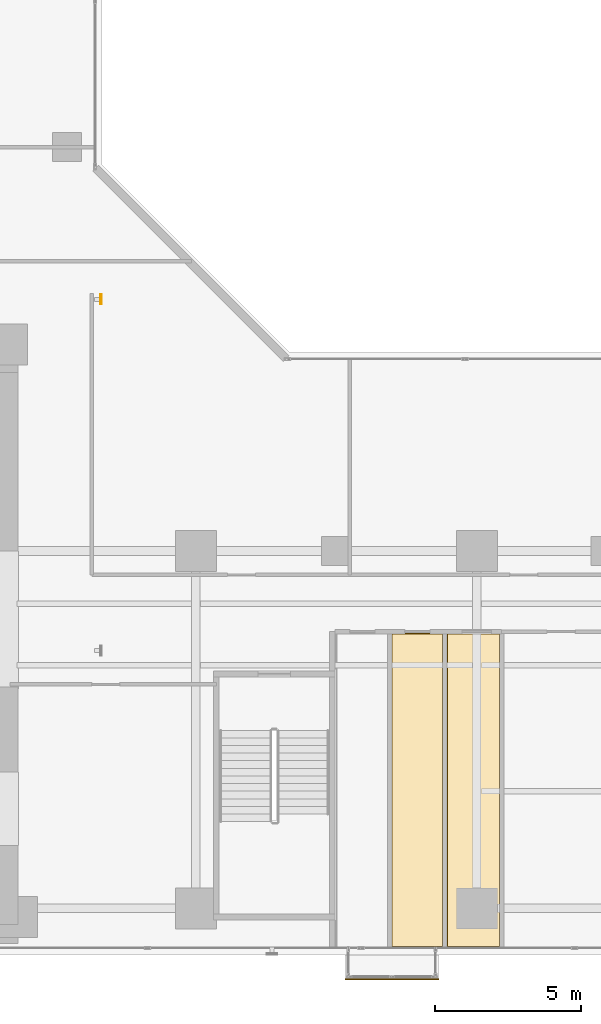
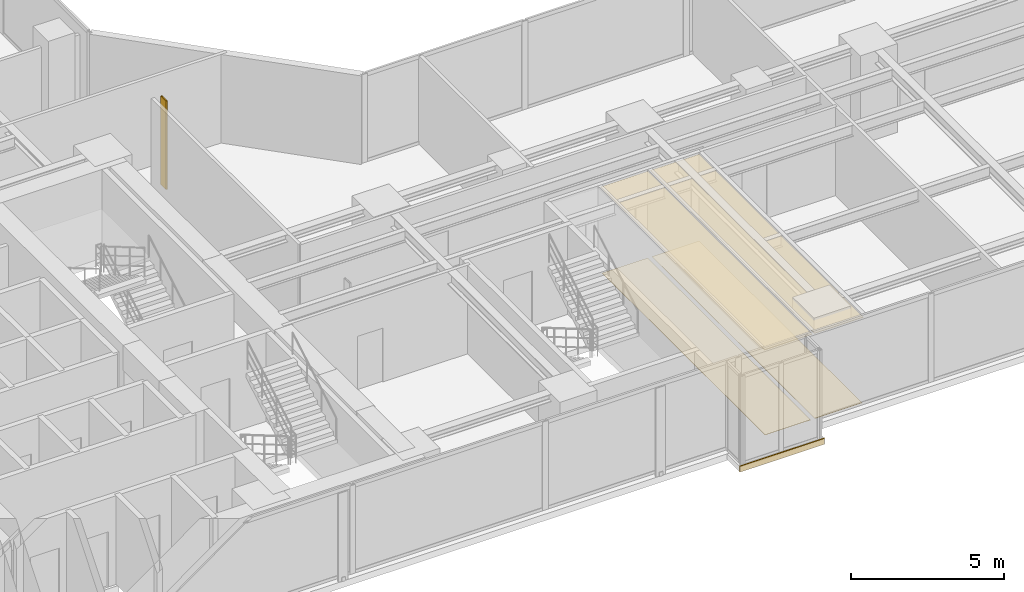
# One storey, part 25 of 26: 5 coverings, 1 shading device.
"""IFC4 building model written with IfcOpenShell, lengths in metres."""

from ifc_helpers import new_model, si_unit, direction, frame, origin, origin_2d, place, context, subcontext, project, spatial, polyline, rectangle, hollow_rectangle, outline, extrude, material, layer, layer_set, material_profile, profile_set, type_object, element, save


model = new_model("IFC4")

# Units and contexts
model_context = context("Model", 3, precision=1e-05, world=origin(), true_north=direction((0.0, 1.0)))
body_context = subcontext(model_context, "Body", "Model", "MODEL_VIEW")
ifc_project = project(units=[si_unit("LENGTHUNIT", "METRE"), si_unit("AREAUNIT", "SQUARE_METRE"), si_unit("VOLUMEUNIT", "CUBIC_METRE"), si_unit("PLANEANGLEUNIT", "RADIAN"), si_unit("MASSUNIT", "GRAM", prefix="KILO")], contexts=[model_context])

# Site, building, storey
site_placement = place(None, origin())
site = spatial("IfcSite", under=ifc_project, at=site_placement, CompositionType="ELEMENT")
building_placement = place(site_placement, origin())
building = spatial("IfcBuilding", under=site, at=building_placement, Name="Kolvaren Waterfront Exchange", CompositionType="ELEMENT")
storey_placement = place(building_placement, frame((0.0, 0.0, 99.300048828125)))
storey = spatial("IfcBuildingStorey", under=building, at=storey_placement, Name="L25", CompositionType="ELEMENT", Elevation=99.300048828125)

# Coverings
ifc_material_1 = material(Name="Mineral fibre acoustic ceiling tile")
ifc_layer_1 = layer(ifc_material_1, 0.02490234375, Name="Mineral fibre acoustic ceiling tile")
ifc_layer_set_1 = layer_set([ifc_layer_1], Name="Mineral fibre acoustic ceiling tile")
covering_type_1 = type_object("IfcCoveringType", Name="ARC-CEIL-ACOUSTIC-25", PredefinedType="CEILING", material=ifc_layer_set_1)
covering_1_placement = place(storey_placement, frame((0.0, 0.0, 3.425048828125)))
element("IfcCovering", 1, at=covering_1_placement, inside=storey, type_object=covering_type_1, Name="L25 acoustic suspended ceiling 2", PredefinedType="CEILING", context=body_context, shape_type="SweptSolid", body=[
    extrude(outline(polyline([(35.6650390625, 3.864990234375), (35.6650390625, 14.594970703125), (33.875, 14.594970703125), (33.875, 3.864990234375), (35.6650390625, 3.864990234375)])), origin(), (0.0, 0.0, 1.0), 0.02490234375),
])
covering_2_placement = place(storey_placement, frame((0.0, 0.0, 3.425048828125)))
element("IfcCovering", 2, at=covering_2_placement, inside=storey, type_object=covering_type_1, Name="L25 acoustic suspended ceiling 3", PredefinedType="CEILING", context=body_context, shape_type="SweptSolid", body=[
    extrude(outline(polyline([(37.60498046875, 3.864990234375), (37.60498046875, 14.594970703125), (35.7548828125, 14.594970703125), (35.7548828125, 3.864990234375), (37.60498046875, 3.864990234375)])), origin(), (0.0, 0.0, 1.0), 0.02490234375),
])
ifc_material_2 = material(Name="Anodised bronze fascia aluminium", Category="aluminium")
ifc_layer_2 = layer(ifc_material_2, 0.034912109375, Name="Anodised bronze fascia aluminium")
ifc_layer_set_2 = layer_set([ifc_layer_2], Name="Anodised bronze fascia aluminium")
covering_type_2 = type_object("IfcCoveringType", Name="ARC-CLAD-BRONZE-35", PredefinedType="CLADDING", material=ifc_layer_set_2)
covering_3_placement = place(storey_placement, frame((33.89990234375, 2.77001953125, -0.22021484375), z_axis=(0.0, 0.0, 1.0), x_axis=(1.0, 0.0, 0.0)))
element("IfcCovering", 3, at=covering_3_placement, inside=storey, type_object=covering_type_2, Name="L25 ribbed anodised bronze bay-box fascia", PredefinedType="CLADDING", context=body_context, shape_type="SweptSolid", body=[
    extrude(rectangle(XDim=3.199951171875, YDim=0.034912109375, at=origin_2d()), origin(), (0.0, 0.0, 1.0), 0.239990234375),
])

# Shading device
ifc_material_3 = material(Name="Anodised bronze aluminium 6063-T6", Category="aluminium")
ifc_material_profile = material_profile(ifc_material_3, hollow_rectangle(XDim=0.06005859375, YDim=0.35009765625, WallThickness=0.0048828125, at=origin_2d()), Name="BRZ-FIN-350x60x5")
ifc_profile_set = profile_set([ifc_material_profile], Name="Anodised bronze aluminium 6063-T6")
shading_device_type = type_object("IfcShadingDeviceType", Name="ARC-FIN-350", PredefinedType="USERDEFINED", material=ifc_profile_set)
shading_device_placement = place(storey_placement, frame((23.9599609375, 26.0, 0.0), z_axis=(0.0, 0.0, 1.0), x_axis=(1.0, 0.0, 0.0)))
element("IfcShadingDevice", 4, at=shading_device_placement, inside=storey, type_object=shading_device_type, Name="L25 anodised bronze solar shading fin FIN-L25-E2", ObjectType="SOLAR FIN", PredefinedType="USERDEFINED", context=body_context, shape_type="SweptSolid", body=[
    extrude(hollow_rectangle(XDim=0.06005859375, YDim=0.35009765625, WallThickness=0.0048828125, at=origin_2d()), origin(), (0.0, 0.0, 1.0), 3.5400390625),
])

# Coverings
ifc_material_4 = material(Name="Slip-resistant porcelain tile")
ifc_layer_3 = layer(ifc_material_4, 0.014892578125, Name="Slip-resistant porcelain tile")
ifc_layer_set_3 = layer_set([ifc_layer_3], Name="Slip-resistant porcelain tile")
covering_type_3 = type_object("IfcCoveringType", Name="ARC-FLR-PORC-15", PredefinedType="FLOORING", material=ifc_layer_set_3)
covering_4_placement = place(storey_placement, origin())
element("IfcCovering", 5, at=covering_4_placement, inside=storey, type_object=covering_type_3, Name="L25 floor finish 2", PredefinedType="FLOORING", context=body_context, shape_type="SweptSolid", body=[
    extrude(outline(polyline([(33.909912109375, 14.56005859375), (33.909912109375, 3.89990234375), (35.6298828125, 3.89990234375), (35.6298828125, 14.56005859375), (33.909912109375, 14.56005859375)])), origin(), (0.0, 0.0, 1.0), 0.014892578125),
])
covering_5_placement = place(storey_placement, origin())
element("IfcCovering", 6, at=covering_5_placement, inside=storey, type_object=covering_type_3, Name="L25 floor finish 3", PredefinedType="FLOORING", context=body_context, shape_type="SweptSolid", body=[
    extrude(outline(polyline([(35.7900390625, 14.56005859375), (35.7900390625, 3.89990234375), (37.570068359375, 3.89990234375), (37.570068359375, 14.56005859375), (35.7900390625, 14.56005859375)])), origin(), (0.0, 0.0, 1.0), 0.014892578125),
])

save(model, "model.ifc")
